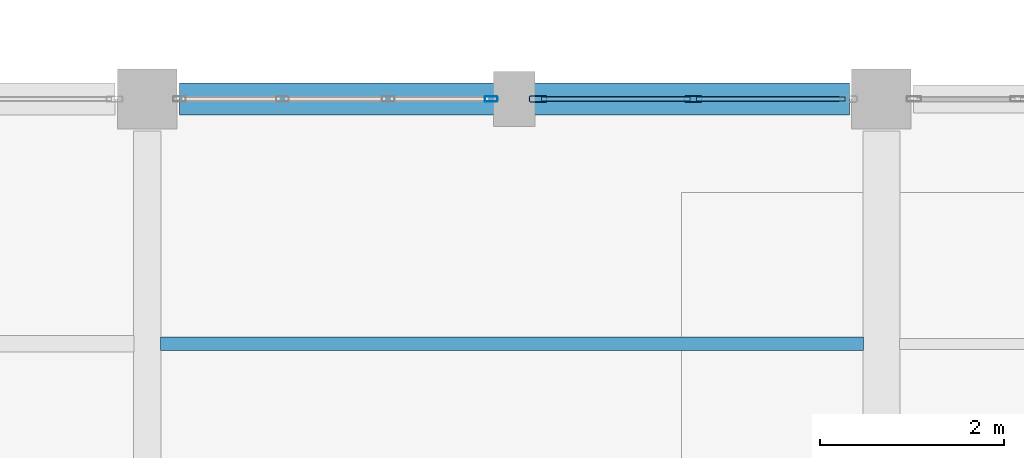
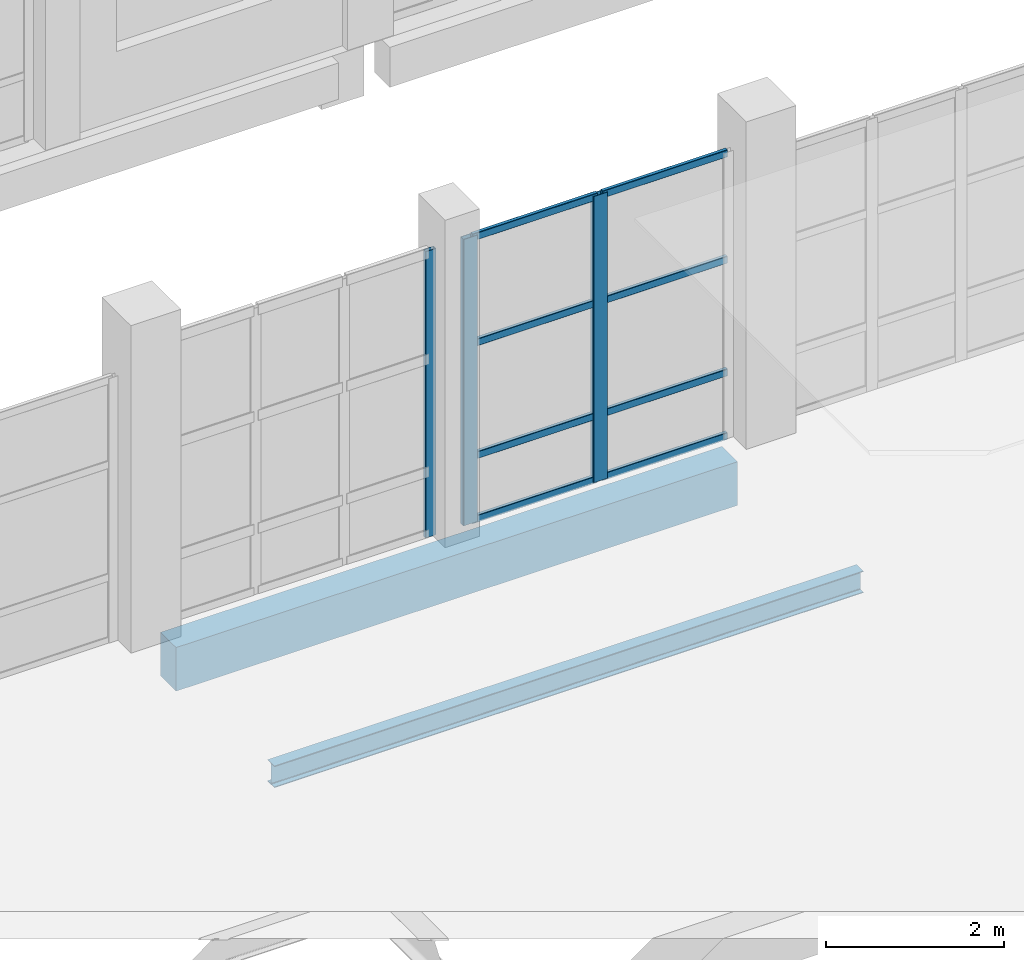
# One storey, part 22 of 183: 11 members, 2 beams, 2 elements without a shape of their own.
"""IFC4 building model written with IfcOpenShell, lengths in metres."""

from ifc_helpers import new_model, si_unit, direction, frame, origin, origin_2d, place, context, subcontext, project, spatial, rectangle, hollow_rectangle, i_section, extrude, material, material_profile, profile_set, type_object, element, aggregate, save


model = new_model("IFC4")

# Units and contexts
model_context = context("Model", 3, precision=1e-05, world=origin(), true_north=direction((0.0, 1.0)))
body_context = subcontext(model_context, "Body", "Model", "MODEL_VIEW")
ifc_project = project(units=[si_unit("LENGTHUNIT", "METRE"), si_unit("AREAUNIT", "SQUARE_METRE"), si_unit("VOLUMEUNIT", "CUBIC_METRE"), si_unit("PLANEANGLEUNIT", "RADIAN"), si_unit("MASSUNIT", "GRAM", prefix="KILO")], contexts=[model_context])

# Site, building, storey
site_placement = place(None, origin())
site = spatial("IfcSite", under=ifc_project, at=site_placement, CompositionType="ELEMENT")
building_placement = place(site_placement, origin())
building = spatial("IfcBuilding", under=site, at=building_placement, Name="Luwemba Playhouse", CompositionType="ELEMENT")
storey_placement = place(building_placement, frame((0.0, 0.0, 4.800048828125)))
storey = spatial("IfcBuildingStorey", under=building, at=storey_placement, Name="L01", CompositionType="ELEMENT", Elevation=4.800048828125)

# Beams
ifc_material_1 = material(Name="Steel S355", Category="steel")
ifc_material_profile_1 = material_profile(ifc_material_1, i_section(OverallWidth=0.14990234375, OverallDepth=0.300048828125, WebThickness=0.007080078125, FlangeThickness=0.0107421875, FilletRadius=0.014892578125, at=origin_2d()))
ifc_profile_set_1 = profile_set([ifc_material_profile_1], Name="Steel S355")
beam_type_1 = type_object("IfcBeamType", Name="BM-SJ05", PredefinedType="JOIST", material=ifc_profile_set_1)
beam_1_placement = place(storey_placement, frame((12.14599609375, 24.333251953125, -0.400146484375), z_axis=(1.0, 0.0, 0.0), x_axis=(0.0, 1.0, 0.0)))
element("IfcBeam", 1, at=beam_1_placement, inside=storey, type_object=beam_type_1, Name="L01 composite floor joist 0282", PredefinedType="JOIST", context=body_context, shape_type="SweptSolid", body=[
    extrude(i_section(OverallWidth=0.14990234375, OverallDepth=0.300048828125, WebThickness=0.007080078125, FlangeThickness=0.0107421875, FilletRadius=0.014892578125, at=origin_2d()), origin(), (0.0, 0.0, 1.0), 7.657958984375),
])
ifc_material_2 = material(Name="Concrete C40/50", Category="concrete")
ifc_material_profile_2 = material_profile(ifc_material_2, rectangle(XDim=0.35009765625, YDim=0.60009765625, at=origin_2d()))
ifc_profile_set_2 = profile_set([ifc_material_profile_2], Name="Concrete C40/50")
beam_type_2 = type_object("IfcBeamType", Name="BM-SP3", PredefinedType="SPANDREL", material=ifc_profile_set_2)
beam_2_placement = place(storey_placement, frame((12.35009765625, 27.0, -0.550048828125), z_axis=(1.0, 0.0, 0.0), x_axis=(0.0, 1.0, 0.0)))
element("IfcBeam", 2, at=beam_2_placement, inside=storey, type_object=beam_type_2, Name="L01 grid girder 0490", PredefinedType="SPANDREL", context=body_context, shape_type="SweptSolid", body=[
    extrude(rectangle(XDim=0.35009765625, YDim=0.60009765625, at=origin_2d()), origin(), (0.0, 0.0, 1.0), 7.2998046875),
])

# Curtain wall, member
ifc_material_3 = material(Name="Solar-control double glazing", Category="glass")
curtain_wall_type_1 = type_object("IfcCurtainWallType", Name="CW-CW94", PredefinedType="USERDEFINED", material=ifc_material_3)
curtain_wall_1_placement = place(storey_placement, origin())
curtain_wall_1 = element("IfcCurtainWall", 3, at=curtain_wall_1_placement, inside=storey, type_object=curtain_wall_type_1, Name="L01 V5W unitised curtain wall 124", ObjectType="UNITISED GLAZING", PredefinedType="USERDEFINED")
ifc_material_4 = material(Name="Aluminium 6063-T6", Category="aluminium")
ifc_material_profile_3 = material_profile(ifc_material_4, hollow_rectangle(XDim=0.054931640625, YDim=0.139892578125, WallThickness=0.00390625, InnerFilletRadius=0.006103515625, OuterFilletRadius=0.010009765625, at=origin_2d()))
ifc_profile_set_3 = profile_set([ifc_material_profile_3], Name="Aluminium 6063-T6")
member_type_1 = type_object("IfcMemberType", Name="CWM-M3", PredefinedType="MULLION", material=ifc_profile_set_3)
member_1_placement = place(storey_placement, frame((15.74755859375, 27.0, 0.0), z_axis=(0.0, 0.0, 1.0), x_axis=(0.0, 1.0, 0.0)))
member_1 = element("IfcMember", 4, at=member_1_placement, type_object=member_type_1, Name="CW94 mullion 4", PredefinedType="MULLION", context=body_context, shape_type="SweptSolid", body=[
    extrude(hollow_rectangle(XDim=0.054931640625, YDim=0.139892578125, WallThickness=0.00390625, InnerFilletRadius=0.006103515625, OuterFilletRadius=0.010009765625, at=origin_2d()), origin(), (0.0, 0.0, 1.0), 3.93505859375),
])
aggregate(curtain_wall_1, [member_1])

# Curtain wall, members
curtain_wall_type_2 = type_object("IfcCurtainWallType", Name="CW-CW63", PredefinedType="USERDEFINED", material=ifc_material_3)
curtain_wall_2_placement = place(storey_placement, origin())
curtain_wall_2 = element("IfcCurtainWall", 5, at=curtain_wall_2_placement, inside=storey, type_object=curtain_wall_type_2, Name="L01 V5W unitised curtain wall 125", ObjectType="UNITISED GLAZING", PredefinedType="USERDEFINED")
ifc_material_profile_4 = material_profile(ifc_material_4, hollow_rectangle(XDim=0.070068359375, YDim=0.18994140625, WallThickness=0.0048828125, InnerFilletRadius=0.007568359375, OuterFilletRadius=0.012451171875, at=origin_2d()))
ifc_profile_set_4 = profile_set([ifc_material_profile_4], Name="Aluminium 6063-T6")
member_type_2 = type_object("IfcMemberType", Name="CWM-M4", PredefinedType="MULLION", material=ifc_profile_set_4)
member_2_placement = place(storey_placement, frame((16.260009765625, 27.0, 0.0), z_axis=(0.0, 0.0, 1.0), x_axis=(0.0, 1.0, 0.0)))
member_2 = element("IfcMember", 6, at=member_2_placement, type_object=member_type_2, Name="CW63 mullion 1", PredefinedType="MULLION", context=body_context, shape_type="SweptSolid", body=[
    extrude(hollow_rectangle(XDim=0.070068359375, YDim=0.18994140625, WallThickness=0.0048828125, InnerFilletRadius=0.007568359375, OuterFilletRadius=0.012451171875, at=origin_2d()), origin(), (0.0, 0.0, 1.0), 3.93505859375),
])
member_3_placement = place(storey_placement, frame((17.949951171875, 27.0, 0.0), z_axis=(0.0, 0.0, 1.0), x_axis=(0.0, 1.0, 0.0)))
member_3 = element("IfcMember", 7, at=member_3_placement, type_object=member_type_2, Name="CW63 mullion 2", PredefinedType="MULLION", context=body_context, shape_type="SweptSolid", body=[
    extrude(hollow_rectangle(XDim=0.070068359375, YDim=0.18994140625, WallThickness=0.0048828125, InnerFilletRadius=0.007568359375, OuterFilletRadius=0.012451171875, at=origin_2d()), origin(), (0.0, 0.0, 1.0), 3.93505859375),
])
ifc_material_profile_5 = material_profile(ifc_material_4, hollow_rectangle(XDim=0.050048828125, YDim=0.10009765625, WallThickness=0.00341796875, InnerFilletRadius=0.00537109375, OuterFilletRadius=0.0087890625, at=origin_2d()))
ifc_profile_set_5 = profile_set([ifc_material_profile_5], Name="Aluminium 6063-T6")
member_type_3 = type_object("IfcMemberType", Name="CWT-T4", PredefinedType="USERDEFINED", material=ifc_profile_set_5)
member_4_placement = place(storey_placement, frame((16.294921875, 27.0, 0.02490234375), z_axis=(1.0, 0.0, 0.0), x_axis=(0.0, 1.0, 0.0)))
member_4 = element("IfcMember", 8, at=member_4_placement, type_object=member_type_3, Name="CW63 transom 1.1", ObjectType="TRANSOM", PredefinedType="USERDEFINED", context=body_context, shape_type="SweptSolid", body=[
    extrude(hollow_rectangle(XDim=0.050048828125, YDim=0.10009765625, WallThickness=0.00341796875, InnerFilletRadius=0.00537109375, OuterFilletRadius=0.0087890625, at=origin_2d()), origin(), (0.0, 0.0, 1.0), 1.6201171875),
])
member_5_placement = place(storey_placement, frame((16.294921875, 27.0, 0.89990234375), z_axis=(1.0, 0.0, 0.0), x_axis=(0.0, 1.0, 0.0)))
member_5 = element("IfcMember", 9, at=member_5_placement, type_object=member_type_3, Name="CW63 transom 1.2", ObjectType="TRANSOM", PredefinedType="USERDEFINED", context=body_context, shape_type="SweptSolid", body=[
    extrude(hollow_rectangle(XDim=0.050048828125, YDim=0.10009765625, WallThickness=0.00341796875, InnerFilletRadius=0.00537109375, OuterFilletRadius=0.0087890625, at=origin_2d()), origin(), (0.0, 0.0, 1.0), 1.6201171875),
])
member_6_placement = place(storey_placement, frame((16.294921875, 27.0, 2.449951171875), z_axis=(1.0, 0.0, 0.0), x_axis=(0.0, 1.0, 0.0)))
member_6 = element("IfcMember", 10, at=member_6_placement, type_object=member_type_3, Name="CW63 transom 1.3", ObjectType="TRANSOM", PredefinedType="USERDEFINED", context=body_context, shape_type="SweptSolid", body=[
    extrude(hollow_rectangle(XDim=0.050048828125, YDim=0.10009765625, WallThickness=0.00341796875, InnerFilletRadius=0.00537109375, OuterFilletRadius=0.0087890625, at=origin_2d()), origin(), (0.0, 0.0, 1.0), 1.6201171875),
])
member_7_placement = place(storey_placement, frame((16.294921875, 27.0, 3.909912109375), z_axis=(1.0, 0.0, 0.0), x_axis=(0.0, 1.0, 0.0)))
member_7 = element("IfcMember", 11, at=member_7_placement, type_object=member_type_3, Name="CW63 transom 1.4", ObjectType="TRANSOM", PredefinedType="USERDEFINED", context=body_context, shape_type="SweptSolid", body=[
    extrude(hollow_rectangle(XDim=0.050048828125, YDim=0.10009765625, WallThickness=0.00341796875, InnerFilletRadius=0.00537109375, OuterFilletRadius=0.0087890625, at=origin_2d()), origin(), (0.0, 0.0, 1.0), 1.6201171875),
])
member_8_placement = place(storey_placement, frame((17.985107421875, 27.0, 0.02490234375), z_axis=(1.0, 0.0, 0.0), x_axis=(0.0, 1.0, 0.0)))
member_8 = element("IfcMember", 12, at=member_8_placement, type_object=member_type_3, Name="CW63 transom 2.1", ObjectType="TRANSOM", PredefinedType="USERDEFINED", context=body_context, shape_type="SweptSolid", body=[
    extrude(hollow_rectangle(XDim=0.050048828125, YDim=0.10009765625, WallThickness=0.00341796875, InnerFilletRadius=0.00537109375, OuterFilletRadius=0.0087890625, at=origin_2d()), origin(), (0.0, 0.0, 1.0), 1.619873046875),
])
member_9_placement = place(storey_placement, frame((17.985107421875, 27.0, 0.89990234375), z_axis=(1.0, 0.0, 0.0), x_axis=(0.0, 1.0, 0.0)))
member_9 = element("IfcMember", 13, at=member_9_placement, type_object=member_type_3, Name="CW63 transom 2.2", ObjectType="TRANSOM", PredefinedType="USERDEFINED", context=body_context, shape_type="SweptSolid", body=[
    extrude(hollow_rectangle(XDim=0.050048828125, YDim=0.10009765625, WallThickness=0.00341796875, InnerFilletRadius=0.00537109375, OuterFilletRadius=0.0087890625, at=origin_2d()), origin(), (0.0, 0.0, 1.0), 1.619873046875),
])
member_10_placement = place(storey_placement, frame((17.985107421875, 27.0, 2.449951171875), z_axis=(1.0, 0.0, 0.0), x_axis=(0.0, 1.0, 0.0)))
member_10 = element("IfcMember", 14, at=member_10_placement, type_object=member_type_3, Name="CW63 transom 2.3", ObjectType="TRANSOM", PredefinedType="USERDEFINED", context=body_context, shape_type="SweptSolid", body=[
    extrude(hollow_rectangle(XDim=0.050048828125, YDim=0.10009765625, WallThickness=0.00341796875, InnerFilletRadius=0.00537109375, OuterFilletRadius=0.0087890625, at=origin_2d()), origin(), (0.0, 0.0, 1.0), 1.619873046875),
])
member_11_placement = place(storey_placement, frame((17.985107421875, 27.0, 3.909912109375), z_axis=(1.0, 0.0, 0.0), x_axis=(0.0, 1.0, 0.0)))
member_11 = element("IfcMember", 15, at=member_11_placement, type_object=member_type_3, Name="CW63 transom 2.4", ObjectType="TRANSOM", PredefinedType="USERDEFINED", context=body_context, shape_type="SweptSolid", body=[
    extrude(hollow_rectangle(XDim=0.050048828125, YDim=0.10009765625, WallThickness=0.00341796875, InnerFilletRadius=0.00537109375, OuterFilletRadius=0.0087890625, at=origin_2d()), origin(), (0.0, 0.0, 1.0), 1.619873046875),
])
aggregate(curtain_wall_2, [member_2, member_3, member_4, member_5, member_6, member_7, member_8, member_9, member_10, member_11])

save(model, "model.ifc")
